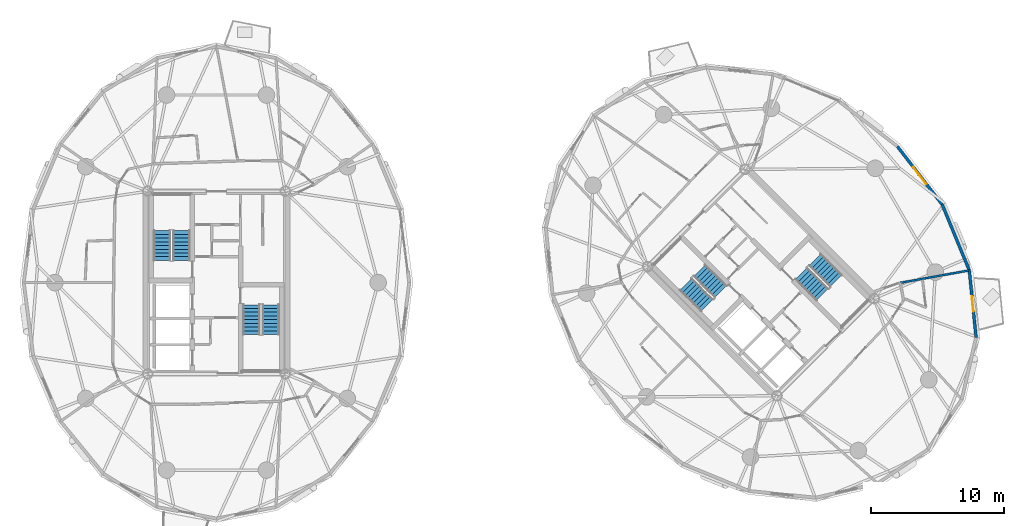
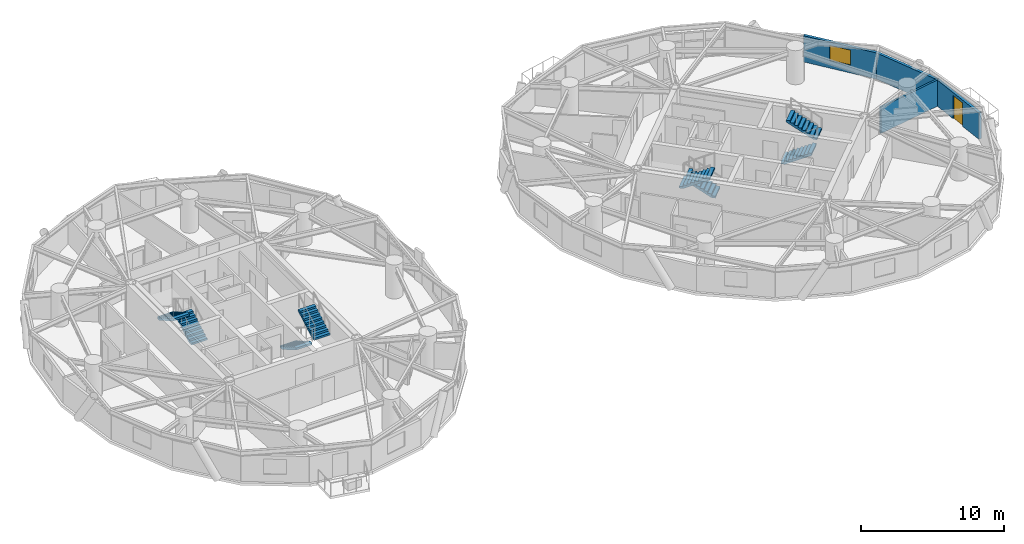
# One storey, part 14 of 17: 8 stair flights, 4 walls, 1 door, 1 window, 2 openings, 4 elements without a shape of their own.
"""IFC4 building model written with IfcOpenShell, lengths in metres."""

from ifc_helpers import new_model, si_unit, direction, frame, frame_2d, origin, place, context, subcontext, project, spatial, polyline, rectangle, outline, extrude, source, transform, mapped, material, layer, layer_set, type_object, element, fill, aggregate, save


model = new_model("IFC4")

# Units and contexts
model_context = context("Model", 3, precision=1e-05, world=origin(), true_north=direction((0.0, 1.0)))
body_context = subcontext(model_context, "Body", "Model", "MODEL_VIEW")
ifc_project = project(units=[si_unit("LENGTHUNIT", "METRE"), si_unit("AREAUNIT", "SQUARE_METRE"), si_unit("VOLUMEUNIT", "CUBIC_METRE"), si_unit("PLANEANGLEUNIT", "RADIAN"), si_unit("MASSUNIT", "GRAM", prefix="KILO")], contexts=[model_context])

# Site, building, storey
site_placement = place(None, origin())
site = spatial("IfcSite", under=ifc_project, at=site_placement, CompositionType="ELEMENT")
building_placement = place(site_placement, origin())
building = spatial("IfcBuilding", under=site, at=building_placement, Name="Cununo Teusaquillo Station Towers", CompositionType="ELEMENT")
storey_placement = place(building_placement, frame((0.0, 0.0, 154.510009765625)))
storey = spatial("IfcBuildingStorey", under=building, at=storey_placement, Name="L48", CompositionType="ELEMENT", Elevation=154.510009765625)

# Wall, opening, door
ifc_material_1 = material(Name="Precast concrete C40/50", Category="concrete")
ifc_layer_1 = layer(ifc_material_1, 0.219970703125)
ifc_layer_set_1 = layer_set([ifc_layer_1], Name="Precast concrete C40/50")
wall_type_1 = type_object("IfcWallType", Name="WL-EXT-220", PredefinedType="SOLIDWALL", material=ifc_layer_set_1)
wall_1_placement = place(storey_placement, frame((73.189208984375, 25.417724609375, 0.0), z_axis=(0.0, 0.0, 1.0), x_axis=(0.100279889424, -0.994959267396, 0.0)))
wall_1 = element("IfcWall", 1, at=wall_1_placement, inside=storey, type_object=wall_type_1, Name="L48 Tower B Exterior Facade Wall C17", PredefinedType="SOLIDWALL", context=body_context, shape_type="SweptSolid", body=[
    extrude(rectangle(XDim=5.076171875, YDim=0.219970703125, at=frame_2d((2.5380859375, 0.0))), origin(), (0.0, 0.0, 1.0), 2.244873046875),
])
shared_shape_1 = source(origin(), body_context, "Body", "SweptSolid", [
    extrude(rectangle(XDim=1.14990234375, YDim=2.0048828125, at=frame_2d((0.574951171875, 1.00244140625))), frame((0.0, 0.119873046875, 0.0), z_axis=(0.0, -1.0, 0.0), x_axis=(1.0, 0.0, 0.0)), (0.0, 0.0, 1.0), 0.239990234375),
])
opening_1_placement = place(wall_1_placement, frame((1.962890625, 0.0, 0.0)))
opening_1 = element("IfcOpeningElement", 2, at=opening_1_placement, cuts=wall_1, Name="Opening ED-03", PredefinedType="OPENING", context=body_context, shape_type="MappedRepresentation", body=[
    mapped(shared_shape_1, transform((0.0, 0.0, 0.0), x_axis=(1.0, 0.0, 0.0), y_axis=(0.0, 1.0, 0.0), z_axis=(0.0, 0.0, 1.0), scale=1.0)),
])
ifc_material_2 = material(Name="Anodised dark bronze aluminium EN AW-6063-T6", Category="aluminium")
door_type = type_object("IfcDoorType", Name="DR-EXT-BAL", OperationType="NOTDEFINED", PredefinedType="DOOR", material=ifc_material_2)
shared_shape_2 = source(origin(), body_context, "Body", "SweptSolid", [
    extrude(rectangle(XDim=1.14990234375, YDim=2.0048828125, at=frame_2d((0.574951171875, 1.00244140625))), frame((0.0, 0.02490234375, 0.0), z_axis=(0.0, -1.0, 0.0), x_axis=(1.0, 0.0, 0.0)), (0.0, 0.0, 1.0), 0.050048828125),
])
door_placement = place(opening_1_placement, origin())
door = element("IfcDoor", 3, at=door_placement, inside=storey, type_object=door_type, Name="L48 Tower B Tree Balcony Door C17", OperationType="SINGLE_SWING_LEFT", OverallHeight=2.0048828125, OverallWidth=1.14990234375, PredefinedType="DOOR", context=body_context, shape_type="MappedRepresentation", body=[
    mapped(shared_shape_2, transform((0.0, 0.0, 0.0), x_axis=(1.0, 0.0, 0.0), y_axis=(0.0, 1.0, 0.0), z_axis=(0.0, 0.0, 1.0), scale=1.0)),
])
fill(opening_1, door)

# Wall
wall_2_placement = place(storey_placement, frame((71.144287109375, 30.37841796875, 0.0), z_axis=(0.0, 0.0, 1.0), x_axis=(0.38111364655, -0.924528197738, 0.0)))
element("IfcWall", 4, at=wall_2_placement, inside=storey, type_object=wall_type_1, Name="L48 Tower B Exterior Facade Wall C18", PredefinedType="SOLIDWALL", context=body_context, shape_type="SweptSolid", body=[
    extrude(rectangle(XDim=5.36572265625, YDim=0.219970703125, at=frame_2d((2.682861328125, 0.0))), origin(), (0.0, 0.0, 1.0), 2.244873046875),
])

# Wall, opening, window
wall_3_placement = place(storey_placement, frame((67.763671875, 34.763671875, 0.0), z_axis=(0.0, 0.0, 1.0), x_axis=(0.610543584779, -0.791982658323, 0.0)))
wall_3 = element("IfcWall", 5, at=wall_3_placement, inside=storey, type_object=wall_type_1, Name="L48 Tower B Exterior Facade Wall C19", PredefinedType="SOLIDWALL", context=body_context, shape_type="SweptSolid", body=[
    extrude(rectangle(XDim=5.537109375, YDim=0.219970703125, at=frame_2d((2.7685546875, 0.0))), origin(), (0.0, 0.0, 1.0), 2.244873046875),
])
shared_shape_3 = source(origin(), body_context, "Body", "SweptSolid", [
    extrude(rectangle(XDim=1.60009765625, YDim=1.300048828125, at=frame_2d((0.800048828125, 0.64990234375))), frame((0.0, 0.119873046875, 0.0), z_axis=(0.0, -1.0, 0.0), x_axis=(1.0, 0.0, 0.0)), (0.0, 0.0, 1.0), 0.239990234375),
])
opening_2_placement = place(wall_3_placement, frame((1.968017578125, 0.0, 0.64990234375)))
opening_2 = element("IfcOpeningElement", 6, at=opening_2_placement, cuts=wall_3, Name="Opening WN-03", PredefinedType="OPENING", context=body_context, shape_type="MappedRepresentation", body=[
    mapped(shared_shape_3, transform((0.0, 0.0, 0.0), x_axis=(1.0, 0.0, 0.0), y_axis=(0.0, 1.0, 0.0), z_axis=(0.0, 0.0, 1.0), scale=1.0)),
])
ifc_material_3 = material(Name="Ceramic-fritted dark low-E double glazing", Category="glass")
window_type = type_object("IfcWindowType", Name="WIN-CORN-1600", PartitioningType="SINGLE_PANEL", PredefinedType="WINDOW", material=ifc_material_3)
shared_shape_4 = source(origin(), body_context, "Body", "SweptSolid", [
    extrude(rectangle(XDim=1.60009765625, YDim=1.300048828125, at=frame_2d((0.800048828125, 0.64990234375))), frame((0.0, 0.030029296875, 0.0), z_axis=(0.0, -1.0, 0.0), x_axis=(1.0, 0.0, 0.0)), (0.0, 0.0, 1.0), 0.06005859375),
])
window_placement = place(opening_2_placement, origin())
window = element("IfcWindow", 7, at=window_placement, inside=storey, type_object=window_type, Name="L48 Tower B Facade Window C19", OverallHeight=1.300048828125, OverallWidth=1.60009765625, PartitioningType="SINGLE_PANEL", PredefinedType="WINDOW", context=body_context, shape_type="MappedRepresentation", body=[
    mapped(shared_shape_4, transform((0.0, 0.0, 0.0), x_axis=(1.0, 0.0, 0.0), y_axis=(0.0, 1.0, 0.0), z_axis=(0.0, 0.0, 1.0), scale=1.0)),
])
fill(opening_2, window)

# Wall
ifc_material_4 = material(Name="Fire-rated gypsum plasterboard partition assembly", Category="gypsum")
ifc_layer_2 = layer(ifc_material_4, 0.159912109375)
ifc_layer_set_2 = layer_set([ifc_layer_2], Name="Fire-rated gypsum plasterboard partition assembly")
wall_type_2 = type_object("IfcWallType", Name="WL-PART-160", PredefinedType="PARTITIONING", material=ifc_layer_set_2)
wall_4_placement = place(storey_placement, frame((67.998779296875, 24.484619140625, 0.0), z_axis=(0.0, 0.0, 1.0), x_axis=(0.984209402602, 0.177008055834, 0.0)))
element("IfcWall", 8, at=wall_4_placement, inside=storey, type_object=wall_type_2, Name="L48 Tower B Radial Suite Partition R09", PredefinedType="PARTITIONING", context=body_context, shape_type="SweptSolid", body=[
    extrude(rectangle(XDim=5.253662109375, YDim=0.159912109375, at=frame_2d((2.626953125, 0.0))), origin(), (0.0, 0.0, 1.0), 2.244873046875),
])

# Stair, stair flights
ifc_material_5 = material(Name="Concrete C50/60", Category="concrete")
stair_type = type_object("IfcStairType", Name="ST-TWR-1300", PredefinedType="HALF_TURN_STAIR", material=ifc_material_5)
stair_1_placement = place(storey_placement, origin())
stair_1 = element("IfcStair", 9, at=stair_1_placement, inside=storey, type_object=stair_type, Name="L48 Tower A Protected Core Exit Stair 1", PredefinedType="HALF_TURN_STAIR")
ifc_material_6 = material(Name="Concrete C50/60", Category="concrete")
stair_flight_type = type_object("IfcStairFlightType", Name="SFL-TWR-1300", PredefinedType="STRAIGHT", material=ifc_material_6)
stair_flight_1_placement = place(storey_placement, frame((13.8701171875, 26.169921875, 0.0), z_axis=(0.0, 0.0, 1.0), x_axis=(0.0, 1.0, 0.0)))
stair_flight_1 = element("IfcStairFlight", 10, at=stair_flight_1_placement, type_object=stair_flight_type, Name="ST-T1-1 flight 1", NumberOfRisers=9, NumberOfTreads=8, PredefinedType="STRAIGHT", RiserHeight=0.161666667, TreadLength=0.28, context=body_context, shape_type="SweptSolid", body=[
    extrude(outline(polyline([(0.0, 0.0), (0.0, 0.16162109375), (0.280029296875, 0.16162109375), (0.280029296875, 0.3232421875), (0.56005859375, 0.3232421875), (0.56005859375, 0.485107421875), (0.840087890625, 0.485107421875), (0.840087890625, 0.646728515625), (1.1201171875, 0.646728515625), (1.1201171875, 0.808349609375), (1.39990234375, 0.808349609375), (1.39990234375, 0.969970703125), (1.679931640625, 0.969970703125), (1.679931640625, 1.131591796875), (1.9599609375, 1.131591796875), (1.9599609375, 1.293212890625), (2.239990234375, 1.293212890625), (2.239990234375, 1.455078125), (2.239990234375, 1.1201171875), (0.2998046875, 0.0), (0.0, 0.0)])), frame((0.0, 0.64990234375, 0.0), z_axis=(0.0, -1.0, 0.0), x_axis=(1.0, 0.0, 0.0)), (0.0, 0.0, 1.0), 1.300048828125),
])
stair_flight_2_placement = place(storey_placement, frame((12.409912109375, 28.409912109375, 1.455078125), z_axis=(0.0, 0.0, 1.0), x_axis=(0.0, -1.0, 0.0)))
stair_flight_2 = element("IfcStairFlight", 11, at=stair_flight_2_placement, type_object=stair_flight_type, Name="ST-T1-1 flight 2", NumberOfRisers=9, NumberOfTreads=8, PredefinedType="STRAIGHT", RiserHeight=0.161666667, TreadLength=0.28, context=body_context, shape_type="SweptSolid", body=[
    extrude(outline(polyline([(0.0, 0.0), (0.0, 0.16162109375), (0.280029296875, 0.16162109375), (0.280029296875, 0.3232421875), (0.56005859375, 0.3232421875), (0.56005859375, 0.485107421875), (0.840087890625, 0.485107421875), (0.840087890625, 0.646728515625), (1.1201171875, 0.646728515625), (1.1201171875, 0.808349609375), (1.39990234375, 0.808349609375), (1.39990234375, 0.969970703125), (1.679931640625, 0.969970703125), (1.679931640625, 1.131591796875), (1.9599609375, 1.131591796875), (1.9599609375, 1.293212890625), (2.239990234375, 1.293212890625), (2.239990234375, 1.455078125), (2.239990234375, 1.1201171875), (0.2998046875, 0.0), (0.0, 0.0)])), frame((0.0, 0.64990234375, 0.0), z_axis=(0.0, -1.0, 0.0), x_axis=(1.0, 0.0, 0.0)), (0.0, 0.0, 1.0), 1.300048828125),
])
aggregate(stair_1, [stair_flight_1, stair_flight_2])

stair_2_placement = place(storey_placement, origin())
stair_2 = element("IfcStair", 12, at=stair_2_placement, inside=storey, type_object=stair_type, Name="L48 Tower A Protected Core Exit Stair 2", PredefinedType="HALF_TURN_STAIR")
stair_flight_3_placement = place(storey_placement, frame((19.1298828125, 22.830078125, 0.0), z_axis=(0.0, 0.0, 1.0), x_axis=(0.0, -1.0, 0.0)))
stair_flight_3 = element("IfcStairFlight", 13, at=stair_flight_3_placement, type_object=stair_flight_type, Name="ST-T1-2 flight 1", NumberOfRisers=9, NumberOfTreads=8, PredefinedType="STRAIGHT", RiserHeight=0.161666667, TreadLength=0.28, context=body_context, shape_type="SweptSolid", body=[
    extrude(outline(polyline([(0.0, 0.0), (0.0, 0.16162109375), (0.280029296875, 0.16162109375), (0.280029296875, 0.3232421875), (0.56005859375, 0.3232421875), (0.56005859375, 0.485107421875), (0.840087890625, 0.485107421875), (0.840087890625, 0.646728515625), (1.1201171875, 0.646728515625), (1.1201171875, 0.808349609375), (1.39990234375, 0.808349609375), (1.39990234375, 0.969970703125), (1.679931640625, 0.969970703125), (1.679931640625, 1.131591796875), (1.9599609375, 1.131591796875), (1.9599609375, 1.293212890625), (2.239990234375, 1.293212890625), (2.239990234375, 1.455078125), (2.239990234375, 1.1201171875), (0.2998046875, 0.0), (0.0, 0.0)])), frame((0.0, 0.64990234375, 0.0), z_axis=(0.0, -1.0, 0.0), x_axis=(1.0, 0.0, 0.0)), (0.0, 0.0, 1.0), 1.300048828125),
])
stair_flight_4_placement = place(storey_placement, frame((20.590087890625, 20.590087890625, 1.455078125), z_axis=(0.0, 0.0, 1.0), x_axis=(0.0, 1.0, 0.0)))
stair_flight_4 = element("IfcStairFlight", 14, at=stair_flight_4_placement, type_object=stair_flight_type, Name="ST-T1-2 flight 2", NumberOfRisers=9, NumberOfTreads=8, PredefinedType="STRAIGHT", RiserHeight=0.161666667, TreadLength=0.28, context=body_context, shape_type="SweptSolid", body=[
    extrude(outline(polyline([(0.0, 0.0), (0.0, 0.16162109375), (0.280029296875, 0.16162109375), (0.280029296875, 0.3232421875), (0.56005859375, 0.3232421875), (0.56005859375, 0.485107421875), (0.840087890625, 0.485107421875), (0.840087890625, 0.646728515625), (1.1201171875, 0.646728515625), (1.1201171875, 0.808349609375), (1.39990234375, 0.808349609375), (1.39990234375, 0.969970703125), (1.679931640625, 0.969970703125), (1.679931640625, 1.131591796875), (1.9599609375, 1.131591796875), (1.9599609375, 1.293212890625), (2.239990234375, 1.293212890625), (2.239990234375, 1.455078125), (2.239990234375, 1.1201171875), (0.2998046875, 0.0), (0.0, 0.0)])), frame((0.0, 0.64990234375, 0.0), z_axis=(0.0, -1.0, 0.0), x_axis=(1.0, 0.0, 0.0)), (0.0, 0.0, 1.0), 1.300048828125),
])
aggregate(stair_2, [stair_flight_3, stair_flight_4])

stair_3_placement = place(storey_placement, origin())
stair_3 = element("IfcStair", 15, at=stair_3_placement, inside=storey, type_object=stair_type, Name="L48 Tower B Protected Core Exit Stair 1", PredefinedType="HALF_TURN_STAIR")
stair_flight_5_placement = place(storey_placement, frame((54.45947265625, 23.8212890625, 0.0), z_axis=(0.0, 0.0, 1.0), x_axis=(-0.707106781187, 0.707106781187, 0.0)))
stair_flight_5 = element("IfcStairFlight", 16, at=stair_flight_5_placement, type_object=stair_flight_type, Name="ST-T2-1 flight 1", NumberOfRisers=9, NumberOfTreads=8, PredefinedType="STRAIGHT", RiserHeight=0.161666667, TreadLength=0.28, context=body_context, shape_type="SweptSolid", body=[
    extrude(outline(polyline([(0.0, 0.0), (0.0, 0.16162109375), (0.280029296875, 0.16162109375), (0.280029296875, 0.3232421875), (0.56005859375, 0.3232421875), (0.56005859375, 0.485107421875), (0.840087890625, 0.485107421875), (0.840087890625, 0.646728515625), (1.1201171875, 0.646728515625), (1.1201171875, 0.808349609375), (1.39990234375, 0.808349609375), (1.39990234375, 0.969970703125), (1.679931640625, 0.969970703125), (1.679931640625, 1.131591796875), (1.9599609375, 1.131591796875), (1.9599609375, 1.293212890625), (2.239990234375, 1.293212890625), (2.239990234375, 1.455078125), (2.239990234375, 1.1201171875), (0.2998046875, 0.0), (0.0, 0.0)])), frame((0.0, 0.64990234375, 0.0), z_axis=(0.0, -1.0, 0.0), x_axis=(1.0, 0.0, 0.0)), (0.0, 0.0, 1.0), 1.300048828125),
])
stair_flight_6_placement = place(storey_placement, frame((51.84326171875, 24.372802734375, 1.455078125), z_axis=(0.0, 0.0, 1.0), x_axis=(0.707106781187, -0.707106781187, 0.0)))
stair_flight_6 = element("IfcStairFlight", 17, at=stair_flight_6_placement, type_object=stair_flight_type, Name="ST-T2-1 flight 2", NumberOfRisers=9, NumberOfTreads=8, PredefinedType="STRAIGHT", RiserHeight=0.161666667, TreadLength=0.28, context=body_context, shape_type="SweptSolid", body=[
    extrude(outline(polyline([(0.0, 0.0), (0.0, 0.16162109375), (0.280029296875, 0.16162109375), (0.280029296875, 0.3232421875), (0.56005859375, 0.3232421875), (0.56005859375, 0.485107421875), (0.840087890625, 0.485107421875), (0.840087890625, 0.646728515625), (1.1201171875, 0.646728515625), (1.1201171875, 0.808349609375), (1.39990234375, 0.808349609375), (1.39990234375, 0.969970703125), (1.679931640625, 0.969970703125), (1.679931640625, 1.131591796875), (1.9599609375, 1.131591796875), (1.9599609375, 1.293212890625), (2.239990234375, 1.293212890625), (2.239990234375, 1.455078125), (2.239990234375, 1.1201171875), (0.2998046875, 0.0), (0.0, 0.0)])), frame((0.0, 0.64990234375, 0.0), z_axis=(0.0, -1.0, 0.0), x_axis=(1.0, 0.0, 0.0)), (0.0, 0.0, 1.0), 1.300048828125),
])
aggregate(stair_3, [stair_flight_5, stair_flight_6])

stair_4_placement = place(storey_placement, origin())
stair_4 = element("IfcStair", 18, at=stair_4_placement, inside=storey, type_object=stair_type, Name="L48 Tower B Protected Core Exit Stair 2", PredefinedType="HALF_TURN_STAIR")
stair_flight_7_placement = place(storey_placement, frame((60.54052734375, 25.1787109375, 0.0), z_axis=(0.0, 0.0, 1.0), x_axis=(0.707106781187, -0.707106781187, 0.0)))
stair_flight_7 = element("IfcStairFlight", 19, at=stair_flight_7_placement, type_object=stair_flight_type, Name="ST-T2-2 flight 1", NumberOfRisers=9, NumberOfTreads=8, PredefinedType="STRAIGHT", RiserHeight=0.161666667, TreadLength=0.28, context=body_context, shape_type="SweptSolid", body=[
    extrude(outline(polyline([(0.0, 0.0), (0.0, 0.16162109375), (0.280029296875, 0.16162109375), (0.280029296875, 0.3232421875), (0.56005859375, 0.3232421875), (0.56005859375, 0.485107421875), (0.840087890625, 0.485107421875), (0.840087890625, 0.646728515625), (1.1201171875, 0.646728515625), (1.1201171875, 0.808349609375), (1.39990234375, 0.808349609375), (1.39990234375, 0.969970703125), (1.679931640625, 0.969970703125), (1.679931640625, 1.131591796875), (1.9599609375, 1.131591796875), (1.9599609375, 1.293212890625), (2.239990234375, 1.293212890625), (2.239990234375, 1.455078125), (2.239990234375, 1.1201171875), (0.2998046875, 0.0), (0.0, 0.0)])), frame((0.0, 0.64990234375, 0.0), z_axis=(0.0, -1.0, 0.0), x_axis=(1.0, 0.0, 0.0)), (0.0, 0.0, 1.0), 1.300048828125),
])
stair_flight_8_placement = place(storey_placement, frame((63.15673828125, 24.627197265625, 1.455078125), z_axis=(0.0, 0.0, 1.0), x_axis=(-0.707106781187, 0.707106781187, 0.0)))
stair_flight_8 = element("IfcStairFlight", 20, at=stair_flight_8_placement, type_object=stair_flight_type, Name="ST-T2-2 flight 2", NumberOfRisers=9, NumberOfTreads=8, PredefinedType="STRAIGHT", RiserHeight=0.161666667, TreadLength=0.28, context=body_context, shape_type="SweptSolid", body=[
    extrude(outline(polyline([(0.0, 0.0), (0.0, 0.16162109375), (0.280029296875, 0.16162109375), (0.280029296875, 0.3232421875), (0.56005859375, 0.3232421875), (0.56005859375, 0.485107421875), (0.840087890625, 0.485107421875), (0.840087890625, 0.646728515625), (1.1201171875, 0.646728515625), (1.1201171875, 0.808349609375), (1.39990234375, 0.808349609375), (1.39990234375, 0.969970703125), (1.679931640625, 0.969970703125), (1.679931640625, 1.131591796875), (1.9599609375, 1.131591796875), (1.9599609375, 1.293212890625), (2.239990234375, 1.293212890625), (2.239990234375, 1.455078125), (2.239990234375, 1.1201171875), (0.2998046875, 0.0), (0.0, 0.0)])), frame((0.0, 0.64990234375, 0.0), z_axis=(0.0, -1.0, 0.0), x_axis=(1.0, 0.0, 0.0)), (0.0, 0.0, 1.0), 1.300048828125),
])
aggregate(stair_4, [stair_flight_7, stair_flight_8])

save(model, "model.ifc")
